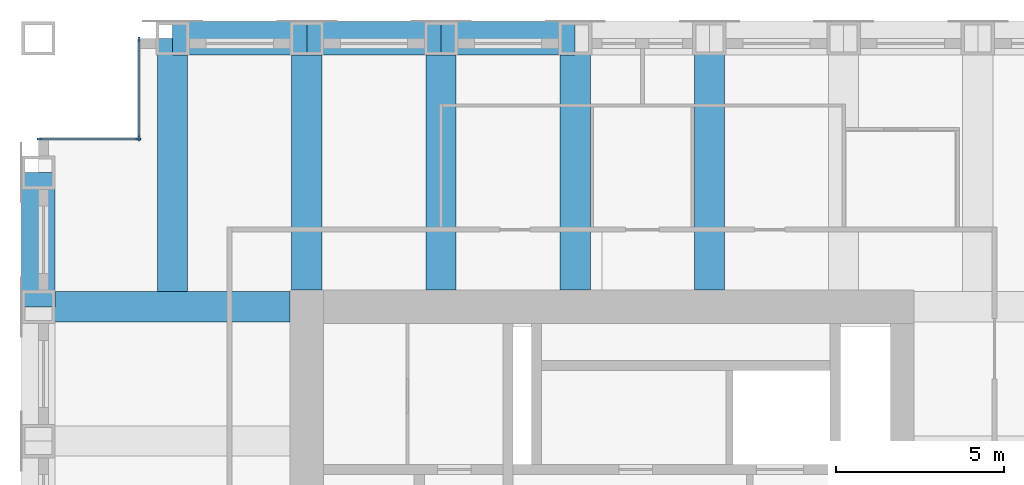
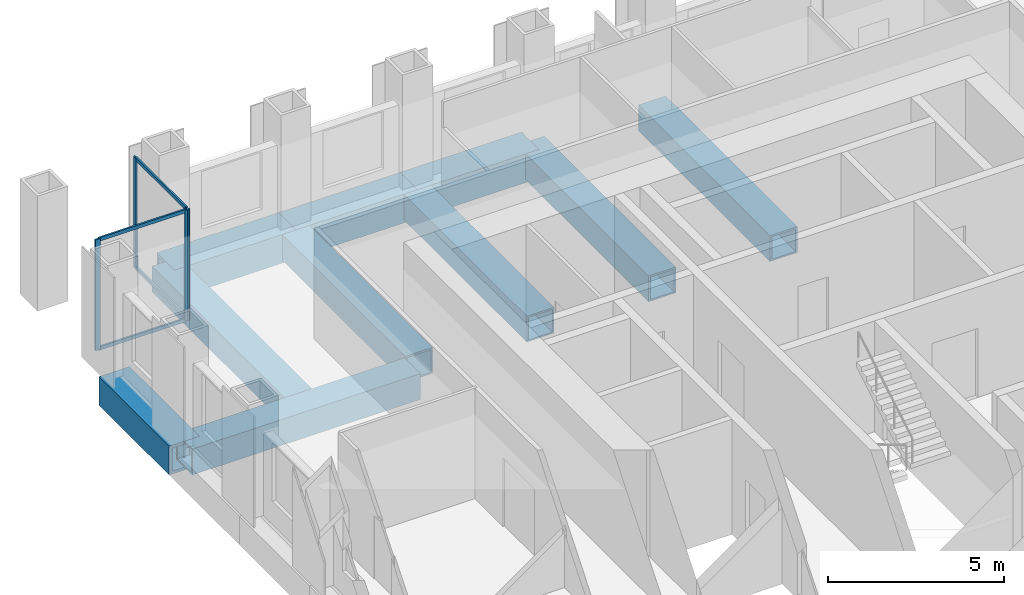
# One storey, part 5 of 13: 10 beams, 8 members, 2 elements without a shape of their own.
"""IFC4 building model written with IfcOpenShell, lengths in metres."""

from ifc_helpers import new_model, si_unit, direction, frame, origin, origin_2d, place, context, subcontext, project, spatial, rectangle, hollow_rectangle, extrude, material, material_profile, profile_set, type_object, element, aggregate, save


model = new_model("IFC4")

# Units and contexts
model_context = context("Model", 3, precision=1e-05, world=origin(), true_north=direction((0.0, 1.0)))
body_context = subcontext(model_context, "Body", "Model", "MODEL_VIEW")
ifc_project = project(units=[si_unit("LENGTHUNIT", "METRE"), si_unit("AREAUNIT", "SQUARE_METRE"), si_unit("VOLUMEUNIT", "CUBIC_METRE"), si_unit("PLANEANGLEUNIT", "RADIAN"), si_unit("MASSUNIT", "GRAM", prefix="KILO")], contexts=[model_context])

# Site, building, storey
site_placement = place(None, origin())
site = spatial("IfcSite", under=ifc_project, at=site_placement, CompositionType="ELEMENT")
building_placement = place(site_placement, origin())
building = spatial("IfcBuilding", under=site, at=building_placement, Name="Rimbunsela Tower", CompositionType="ELEMENT")
storey_placement = place(building_placement, frame((0.0, 0.0, 258.199951171875)))
storey = spatial("IfcBuildingStorey", under=building, at=storey_placement, Name="L62", CompositionType="ELEMENT", Elevation=258.199951171875)

# Beams
ifc_material_1 = material(Name="Steel BJ 55 (fy 410 MPa)", Category="steel")
ifc_material_profile_1 = material_profile(ifc_material_1, hollow_rectangle(XDim=1.0, YDim=1.0, WallThickness=0.10009765625, at=origin_2d()), Name="BOX 1000x1000x100")
ifc_profile_set_1 = profile_set([ifc_material_profile_1], Name="Steel BJ 55 (fy 410 MPa)")
beam_type_1 = type_object("IfcBeamType", Name="Beam BOX 1000x1000x100", PredefinedType="BEAM", material=ifc_profile_set_1)
for number, where, z_axis, x_axis, name in (
    (1, (10.0, 36.0, -0.64990234375), (0.0, 1.0, 0.0), (-1.0, 0.0, 0.0), "Beam B3 L62"),
    (2, (14.0, 44.0, -0.64990234375), (1.0, 0.0, 0.0), (0.0, 1.0, 0.0), "Beam B3 L62"),
    (3, (18.0, 44.0, -0.64990234375), (1.0, 0.0, 0.0), (0.0, 1.0, 0.0), "Beam B3 L62"),
    (4, (22.0, 44.0, -0.64990234375), (1.0, 0.0, 0.0), (0.0, 1.0, 0.0), "Beam B3 L62"),
):
    element("IfcBeam", number, at=place(storey_placement, frame(where, z_axis=z_axis, x_axis=x_axis)), inside=storey, type_object=beam_type_1, Name=name, PredefinedType="BEAM", context=body_context, shape_type="SweptSolid", body=[
        extrude(hollow_rectangle(XDim=1.0, YDim=1.0, WallThickness=0.10009765625, at=origin_2d()), origin(), (0.0, 0.0, 1.0), 4.0),
    ])
ifc_material_2 = material(Name="Steel BJ 55 (fy 410 MPa)", Category="steel")
ifc_material_profile_2 = material_profile(ifc_material_2, hollow_rectangle(XDim=0.89990234375, YDim=0.89990234375, WallThickness=0.06005859375, at=origin_2d()), Name="BOX 900x900x60")
ifc_profile_set_2 = profile_set([ifc_material_profile_2], Name="Steel BJ 55 (fy 410 MPa)")
beam_type_2 = type_object("IfcBeamType", Name="Beam BOX 900x900x60", PredefinedType="BEAM", material=ifc_profile_set_2)
beam_1_placement = place(storey_placement, frame((10.0, 36.0, -0.599853515625), z_axis=(1.0, 0.0, 0.0), x_axis=(0.0, 1.0, 0.0)))
element("IfcBeam", 5, at=beam_1_placement, inside=storey, type_object=beam_type_2, Name="Beam B1 L62", PredefinedType="BEAM", context=body_context, shape_type="SweptSolid", body=[
    extrude(hollow_rectangle(XDim=0.89990234375, YDim=0.89990234375, WallThickness=0.06005859375, at=origin_2d()), origin(), (0.0, 0.0, 1.0), 7.5),
])
beam_2_placement = place(storey_placement, frame((14.0, 36.449951171875, -0.599853515625), z_axis=(0.0, 1.0, 0.0), x_axis=(-1.0, 0.0, 0.0)))
element("IfcBeam", 6, at=beam_2_placement, inside=storey, type_object=beam_type_2, Name="Beam B1 L62", PredefinedType="BEAM", context=body_context, shape_type="SweptSolid", body=[
    extrude(hollow_rectangle(XDim=0.89990234375, YDim=0.89990234375, WallThickness=0.06005859375, at=origin_2d()), origin(), (0.0, 0.0, 1.0), 7.550048828125),
])
for number, where, z_axis, x_axis, name in (
    (7, (18.0, 36.5, -0.599853515625), (0.0, 1.0, 0.0), (-1.0, 0.0, 0.0), "Beam B1 L62"),
    (8, (22.0, 36.5, -0.599853515625), (0.0, 1.0, 0.0), (-1.0, 0.0, 0.0), "Beam B1 L62"),
    (9, (26.0, 36.5, -0.599853515625), (0.0, 1.0, 0.0), (-1.0, 0.0, 0.0), "Beam B1 L62"),
    (10, (30.0, 36.5, -0.599853515625), (0.0, 1.0, 0.0), (-1.0, 0.0, 0.0), "Beam B1 L62"),
):
    element("IfcBeam", number, at=place(storey_placement, frame(where, z_axis=z_axis, x_axis=x_axis)), inside=storey, type_object=beam_type_2, Name=name, PredefinedType="BEAM", context=body_context, shape_type="SweptSolid", body=[
        extrude(hollow_rectangle(XDim=0.89990234375, YDim=0.89990234375, WallThickness=0.06005859375, at=origin_2d()), origin(), (0.0, 0.0, 1.0), 7.5),
    ])

# Curtain wall, members
ifc_material_3 = material(Name="Aluminium curtain wall", Category="aluminium")
curtain_wall_type = type_object("IfcCurtainWallType", Name="Corner glazing", PredefinedType="USERDEFINED", material=ifc_material_3)
curtain_wall_1_placement = place(storey_placement, origin())
curtain_wall_1 = element("IfcCurtainWall", 11, at=curtain_wall_1_placement, inside=storey, type_object=curtain_wall_type, Name="Corner glazing L62", ObjectType="CORNER GLAZING", PredefinedType="USERDEFINED")
ifc_material_4 = material(Name="Aluminium mullion", Category="aluminium")
ifc_material_profile_3 = material_profile(ifc_material_4, rectangle(XDim=0.06005859375, YDim=0.159912109375, at=origin_2d()), Name="Mullion 60x160")
ifc_profile_set_3 = profile_set([ifc_material_profile_3], Name="Aluminium mullion")
member_type_1 = type_object("IfcMemberType", Name="Curtain wall mullion 60x160", PredefinedType="MULLION", material=ifc_profile_set_3)
member_1_placement = place(storey_placement, frame((13.0, 43.969970703125, 0.0), z_axis=(0.0, 0.0, 1.0), x_axis=(1.0, 0.0, 0.0)))
member_1 = element("IfcMember", 12, at=member_1_placement, type_object=member_type_1, Name="CW5 mullion 1", PredefinedType="MULLION", context=body_context, shape_type="SweptSolid", body=[
    extrude(rectangle(XDim=0.06005859375, YDim=0.159912109375, at=origin_2d()), origin(), (0.0, 0.0, 1.0), 3.85009765625),
])
member_2_placement = place(storey_placement, frame((13.0, 41.030029296875, 0.0), z_axis=(0.0, 0.0, 1.0), x_axis=(1.0, 0.0, 0.0)))
member_2 = element("IfcMember", 13, at=member_2_placement, type_object=member_type_1, Name="CW5 mullion 2", PredefinedType="MULLION", context=body_context, shape_type="SweptSolid", body=[
    extrude(rectangle(XDim=0.06005859375, YDim=0.159912109375, at=origin_2d()), origin(), (0.0, 0.0, 1.0), 3.85009765625),
])

curtain_wall_2_placement = place(storey_placement, origin())
curtain_wall_2 = element("IfcCurtainWall", 14, at=curtain_wall_2_placement, inside=storey, type_object=curtain_wall_type, Name="Corner glazing L62", ObjectType="CORNER GLAZING", PredefinedType="USERDEFINED")
member_3_placement = place(storey_placement, frame((12.969970703125, 41.0, 0.0), z_axis=(0.0, 0.0, 1.0), x_axis=(0.0, -1.0, 0.0)))
member_3 = element("IfcMember", 15, at=member_3_placement, type_object=member_type_1, Name="CW5 mullion 1", PredefinedType="MULLION", context=body_context, shape_type="SweptSolid", body=[
    extrude(rectangle(XDim=0.06005859375, YDim=0.159912109375, at=origin_2d()), origin(), (0.0, 0.0, 1.0), 3.85009765625),
])
member_4_placement = place(storey_placement, frame((10.030029296875, 41.0, 0.0), z_axis=(0.0, 0.0, 1.0), x_axis=(0.0, -1.0, 0.0)))
member_4 = element("IfcMember", 16, at=member_4_placement, type_object=member_type_1, Name="CW5 mullion 2", PredefinedType="MULLION", context=body_context, shape_type="SweptSolid", body=[
    extrude(rectangle(XDim=0.06005859375, YDim=0.159912109375, at=origin_2d()), origin(), (0.0, 0.0, 1.0), 3.85009765625),
])

# Member
ifc_material_5 = material(Name="Aluminium transom", Category="aluminium")
ifc_material_profile_4 = material_profile(ifc_material_5, rectangle(XDim=0.06005859375, YDim=0.1201171875, at=origin_2d()), Name="Transom 60x120")
ifc_profile_set_4 = profile_set([ifc_material_profile_4], Name="Aluminium transom")
member_type_2 = type_object("IfcMemberType", Name="Curtain wall transom 60x120", PredefinedType="USERDEFINED", material=ifc_profile_set_4)
member_5_placement = place(storey_placement, frame((13.0, 43.93994140625, 0.030029296875), z_axis=(0.0, -1.0, 0.0), x_axis=(1.0, 0.0, 0.0)))
member_5 = element("IfcMember", 17, at=member_5_placement, type_object=member_type_2, Name="CW5 transom 1.1", ObjectType="TRANSOM", PredefinedType="USERDEFINED", context=body_context, shape_type="SweptSolid", body=[
    extrude(rectangle(XDim=0.06005859375, YDim=0.1201171875, at=origin_2d()), origin(), (0.0, 0.0, 1.0), 2.8798828125),
])

member_6_placement = place(storey_placement, frame((13.0, 43.93994140625, 3.820068359375), z_axis=(0.0, -1.0, 0.0), x_axis=(1.0, 0.0, 0.0)))
member_6 = element("IfcMember", 18, at=member_6_placement, type_object=member_type_2, Name="CW5 transom 1.2", ObjectType="TRANSOM", PredefinedType="USERDEFINED", context=body_context, shape_type="SweptSolid", body=[
    extrude(rectangle(XDim=0.06005859375, YDim=0.1201171875, at=origin_2d()), origin(), (0.0, 0.0, 1.0), 2.8798828125),
])

aggregate(curtain_wall_1, [member_1, member_2, member_5, member_6])

member_7_placement = place(storey_placement, frame((12.93994140625, 41.0, 0.030029296875), z_axis=(-1.0, 0.0, 0.0), x_axis=(0.0, -1.0, 0.0)))
member_7 = element("IfcMember", 19, at=member_7_placement, type_object=member_type_2, Name="CW5 transom 1.1", ObjectType="TRANSOM", PredefinedType="USERDEFINED", context=body_context, shape_type="SweptSolid", body=[
    extrude(rectangle(XDim=0.06005859375, YDim=0.1201171875, at=origin_2d()), origin(), (0.0, 0.0, 1.0), 2.8798828125),
])

member_8_placement = place(storey_placement, frame((12.93994140625, 41.0, 3.820068359375), z_axis=(-1.0, 0.0, 0.0), x_axis=(0.0, -1.0, 0.0)))
member_8 = element("IfcMember", 20, at=member_8_placement, type_object=member_type_2, Name="CW5 transom 1.2", ObjectType="TRANSOM", PredefinedType="USERDEFINED", context=body_context, shape_type="SweptSolid", body=[
    extrude(rectangle(XDim=0.06005859375, YDim=0.1201171875, at=origin_2d()), origin(), (0.0, 0.0, 1.0), 2.8798828125),
])

aggregate(curtain_wall_2, [member_3, member_4, member_7, member_8])

save(model, "model.ifc")
